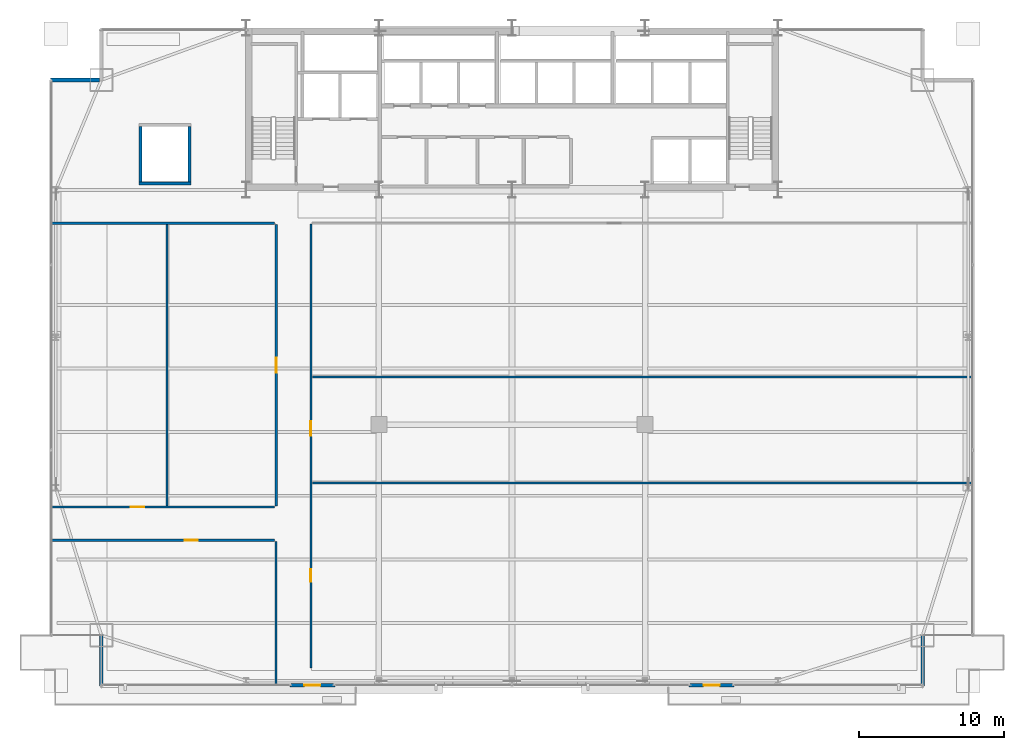
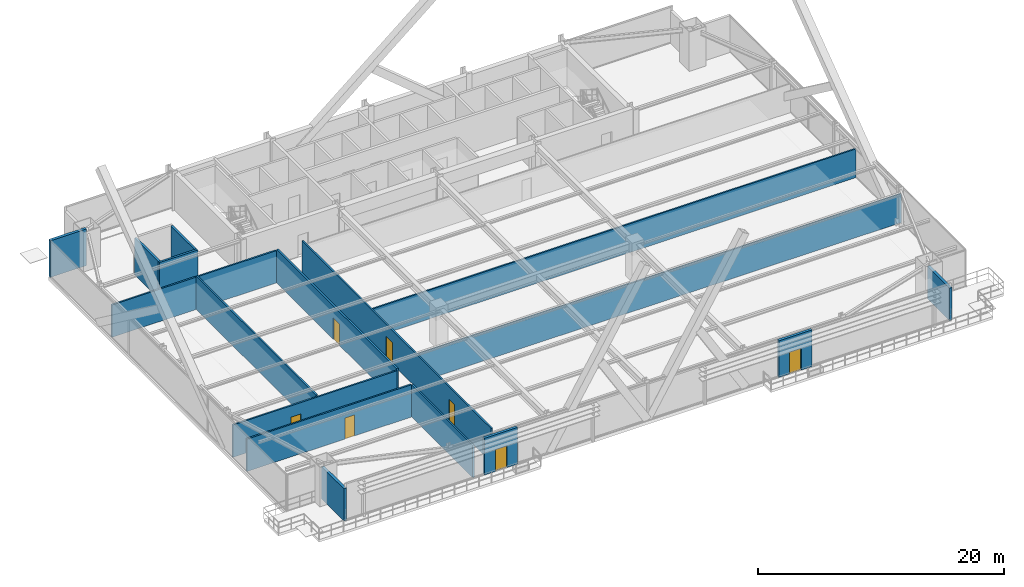
# One storey, part 29 of 34: 17 walls, 7 doors, 7 openings.
"""IFC4 building model written with IfcOpenShell, lengths in metres."""

from ifc_helpers import new_model, si_unit, direction, frame, frame_2d, origin, place, context, subcontext, project, spatial, rectangle, extrude, source, transform, mapped, material, layer, layer_set, type_object, type_shapes, element, fill, save


model = new_model("IFC4")

# Units and contexts
model_context = context("Model", 3, precision=1e-05, world=origin(), true_north=direction((0.0, 1.0)))
body_context = subcontext(model_context, "Body", "Model", "MODEL_VIEW")
ifc_project = project(units=[si_unit("LENGTHUNIT", "METRE"), si_unit("AREAUNIT", "SQUARE_METRE"), si_unit("VOLUMEUNIT", "CUBIC_METRE"), si_unit("PLANEANGLEUNIT", "RADIAN"), si_unit("MASSUNIT", "GRAM", prefix="KILO")], contexts=[model_context])

# Site, building, storey
site_placement = place(None, origin())
site = spatial("IfcSite", under=ifc_project, at=site_placement, CompositionType="ELEMENT")
building_placement = place(site_placement, origin())
building = spatial("IfcBuilding", under=site, at=building_placement, Name="Varnel Quay Broadcast Tower", CompositionType="ELEMENT")
storey_placement = place(building_placement, frame((0.0, 0.0, 27.60009765625)))
storey = spatial("IfcBuildingStorey", under=building, at=storey_placement, Name="L05", CompositionType="ELEMENT", Elevation=27.60009765625)

# Walls
ifc_material_1 = material(Name="Concrete CSA A23.3 C50/60", Category="concrete")
ifc_layer_1 = layer(ifc_material_1, 0.199951171875, Name="Concrete CSA A23.3 C50/60")
ifc_layer_set_1 = layer_set([ifc_layer_1], Name="Concrete CSA A23.3 C50/60")
wall_type_1 = type_object("IfcWallType", Name="Wall_CoreShaftShear200", PredefinedType="SHEAR", material=ifc_layer_set_1)
for number, where, z_axis, x_axis, name in (
    (1, (8.300048828125, 36.14990234375, 0.0), (0.0, 0.0, 1.0), (0.0, 1.0, 0.0), "L05 Freight Lift Shaft W Wall"),
    (2, (11.699951171875, 36.14990234375, 0.0), (0.0, 0.0, 1.0), (0.0, 1.0, 0.0), "L05 Freight Lift Shaft E Wall"),
):
    element("IfcWall", number, at=place(storey_placement, frame(where, z_axis=z_axis, x_axis=x_axis)), inside=storey, type_object=wall_type_1, Name=name, PredefinedType="SHEAR", context=body_context, shape_type="SweptSolid", body=[
        extrude(rectangle(XDim=3.85009765625, YDim=0.199951171875, at=frame_2d((1.925048828125, 0.0))), origin(), (0.0, 0.0, 1.0), 3.64990234375),
    ])
wall_1_placement = place(storey_placement, frame((8.199951171875, 36.050048828125, 0.0), z_axis=(0.0, 0.0, 1.0), x_axis=(1.0, 0.0, 0.0)))
element("IfcWall", 3, at=wall_1_placement, inside=storey, type_object=wall_type_1, Name="L05 Studio Freight Lift Front Wall", PredefinedType="SHEAR", context=body_context, shape_type="SweptSolid", body=[
    extrude(rectangle(XDim=3.60009765625, YDim=0.199951171875, at=frame_2d((1.800048828125, 0.0))), origin(), (0.0, 0.0, 1.0), 3.64990234375),
])

# Wall, opening, door
ifc_material_2 = material(Name="Precast Architectural Concrete C40/50", Category="concrete")
ifc_layer_2 = layer(ifc_material_2, 0.25, Name="Precast Architectural Concrete C40/50")
ifc_layer_set_2 = layer_set([ifc_layer_2], Name="Precast Architectural Concrete C40/50")
wall_type_2 = type_object("IfcWallType", Name="Wall_ExtTerrace250", PredefinedType="SOLIDWALL", material=ifc_layer_set_2)
wall_2_placement = place(storey_placement, frame((18.64990234375, 1.35009765625, 0.0), z_axis=(0.0, 0.0, 1.0), x_axis=(1.0, 0.0, 0.0)))
wall_2 = element("IfcWall", 4, at=wall_2_placement, inside=storey, type_object=wall_type_2, Name="L05 Terrace Access Wall 1", PredefinedType="SOLIDWALL", context=body_context, shape_type="SweptSolid", body=[
    extrude(rectangle(XDim=3.10009765625, YDim=0.25, at=frame_2d((1.550048828125, 0.0))), origin(), (0.0, 0.0, 1.0), 3.6298828125),
])
opening_1_placement = place(wall_2_placement, frame((1.0, 0.0, 0.0)))
opening_1 = element("IfcOpeningElement", 5, at=opening_1_placement, cuts=wall_2, Name="Opening TD-051", PredefinedType="OPENING", context=body_context, shape_type="SweptSolid", body=[
    extrude(rectangle(XDim=1.10009765625, YDim=2.14990234375, at=frame_2d((0.550048828125, 1.074951171875))), frame((0.0, 0.135009765625, 0.0), z_axis=(0.0, -1.0, 0.0), x_axis=(1.0, 0.0, 0.0)), (0.0, 0.0, 1.0), 0.27001953125),
])
ifc_material_3 = material(Name="Anodised Bronze Aluminium 6063-T6", Category="aluminium")
door_type_1 = type_object("IfcDoorType", Name="Door_ExtTerrace1100", OperationType="NOTDEFINED", PredefinedType="DOOR", material=ifc_material_3)
shared_shape_1 = source(origin(), body_context, "Body", "SweptSolid", [
    extrude(rectangle(XDim=1.10009765625, YDim=2.14990234375, at=frame_2d((0.550048828125, 1.074951171875))), frame((0.0, 0.02490234375, 0.0), z_axis=(0.0, -1.0, 0.0), x_axis=(1.0, 0.0, 0.0)), (0.0, 0.0, 1.0), 0.050048828125),
])
type_shapes(door_type_1, [shared_shape_1])
door_1_placement = place(opening_1_placement, frame((1.10009765625, 0.0, 0.0), z_axis=(0.0, 0.0, 1.0), x_axis=(-1.0, 0.0, 0.0)))
door_1 = element("IfcDoor", 6, at=door_1_placement, inside=storey, type_object=door_type_1, Name="L05 Terrace Door TD-051", OperationType="SINGLE_SWING_LEFT", OverallHeight=2.14990234375, OverallWidth=1.10009765625, PredefinedType="DOOR", context=body_context, shape_type="MappedRepresentation", body=[
    mapped(shared_shape_1, transform((0.0, 0.0, 0.0), x_axis=(1.0, 0.0, 0.0), y_axis=(0.0, 1.0, 0.0), z_axis=(0.0, 0.0, 1.0), scale=1.0)),
])
fill(opening_1, door_1)

wall_3_placement = place(storey_placement, frame((46.25, 1.35009765625, 0.0), z_axis=(0.0, 0.0, 1.0), x_axis=(1.0, 0.0, 0.0)))
wall_3 = element("IfcWall", 7, at=wall_3_placement, inside=storey, type_object=wall_type_2, Name="L05 Terrace Access Wall 2", PredefinedType="SOLIDWALL", context=body_context, shape_type="SweptSolid", body=[
    extrude(rectangle(XDim=3.10009765625, YDim=0.25, at=frame_2d((1.550048828125, 0.0))), origin(), (0.0, 0.0, 1.0), 3.6298828125),
])
opening_2_placement = place(wall_3_placement, frame((1.0, 0.0, 0.0)))
opening_2 = element("IfcOpeningElement", 8, at=opening_2_placement, cuts=wall_3, Name="Opening TD-052", PredefinedType="OPENING", context=body_context, shape_type="SweptSolid", body=[
    extrude(rectangle(XDim=1.10009765625, YDim=2.14990234375, at=frame_2d((0.550048828125, 1.074951171875))), frame((0.0, 0.135009765625, 0.0), z_axis=(0.0, -1.0, 0.0), x_axis=(1.0, 0.0, 0.0)), (0.0, 0.0, 1.0), 0.27001953125),
])
door_2_placement = place(opening_2_placement, frame((1.10009765625, 0.0, 0.0), z_axis=(0.0, 0.0, 1.0), x_axis=(-1.0, 0.0, 0.0)))
door_2 = element("IfcDoor", 9, at=door_2_placement, inside=storey, type_object=door_type_1, Name="L05 Terrace Door TD-052", OperationType="SINGLE_SWING_RIGHT", OverallHeight=2.14990234375, OverallWidth=1.10009765625, PredefinedType="DOOR", context=body_context, shape_type="MappedRepresentation", body=[
    mapped(shared_shape_1, transform((0.0, 0.0, 0.0), x_axis=(1.0, 0.0, 0.0), y_axis=(0.0, 1.0, 0.0), z_axis=(0.0, 0.0, 1.0), scale=1.0)),
])
fill(opening_2, door_2)

# Walls
for number, where, z_axis, x_axis, name in (
    (10, (5.60009765625, 1.280029296875, 0.0), (0.0, 0.0, 1.0), (0.0, 1.0, 0.0), "L05 Mega-Column Notch Cladding Wall NSW2"),
    (11, (62.39990234375, 1.280029296875, 0.0), (0.0, 0.0, 1.0), (0.0, 1.0, 0.0), "L05 Mega-Column Notch Cladding Wall NSE2"),
):
    element("IfcWall", number, at=place(storey_placement, frame(where, z_axis=z_axis, x_axis=x_axis)), inside=storey, type_object=wall_type_2, Name=name, PredefinedType="SOLIDWALL", context=body_context, shape_type="SweptSolid", body=[
        extrude(rectangle(XDim=3.599853515625, YDim=0.25, at=frame_2d((1.7998046875, 0.0))), origin(), (0.0, 0.0, 1.0), 3.2080078125),
    ])
wall_4_placement = place(storey_placement, frame((2.080078125, 43.199951171875, 0.0), z_axis=(0.0, 0.0, 1.0), x_axis=(1.0, 0.0, 0.0)))
element("IfcWall", 12, at=wall_4_placement, inside=storey, type_object=wall_type_2, Name="L05 Mega-Column Notch Cladding Wall NNW1", PredefinedType="SOLIDWALL", context=body_context, shape_type="SweptSolid", body=[
    extrude(rectangle(XDim=3.389892578125, YDim=0.25, at=frame_2d((1.69482421875, 0.0))), origin(), (0.0, 0.0, 1.0), 3.6298828125),
])
ifc_material_4 = material(Name="Steel-Stud Fire-Rated Acoustic Gypsum Partition Assembly", Category="steel")
ifc_layer_3 = layer(ifc_material_4, 0.139892578125, Name="Steel-Stud Fire-Rated Acoustic Gypsum Partition Assembly")
ifc_layer_set_3 = layer_set([ifc_layer_3], Name="Steel-Stud Fire-Rated Acoustic Gypsum Partition Assembly")
wall_type_3 = type_object("IfcWallType", Name="Wall_Partition140", PredefinedType="PARTITIONING", material=ifc_layer_set_3)
wall_5_placement = place(storey_placement, frame((20.18994140625, 22.669921875, 0.0), z_axis=(0.0, 0.0, 1.0), x_axis=(1.0, 0.0, 0.0)))
element("IfcWall", 13, at=wall_5_placement, inside=storey, type_object=wall_type_3, Name="L05 Press Green Lounge 5 Partition 15", PredefinedType="PARTITIONING", context=body_context, shape_type="SweptSolid", body=[
    extrude(rectangle(XDim=45.630126953125, YDim=0.139892578125, at=frame_2d((22.81494140625, 0.0))), origin(), (0.0, 0.0, 1.0), 2.851806640625),
])
ifc_layer_4 = layer(ifc_material_4, 0.14990234375, Name="Steel-Stud Fire-Rated Acoustic Gypsum Partition Assembly")
ifc_layer_set_4 = layer_set([ifc_layer_4], Name="Steel-Stud Fire-Rated Acoustic Gypsum Partition Assembly")
wall_type_4 = type_object("IfcWallType", Name="Wall_Partition150", PredefinedType="PARTITIONING", material=ifc_layer_set_4)
wall_6_placement = place(storey_placement, frame((17.68994140625, 1.3798828125, 0.0), z_axis=(0.0, 0.0, 1.0), x_axis=(0.0, 1.0, 0.0)))
element("IfcWall", 14, at=wall_6_placement, inside=storey, type_object=wall_type_4, Name="L05 Broadcast Newsroom 1 Partition 7", PredefinedType="PARTITIONING", context=body_context, shape_type="SweptSolid", body=[
    extrude(rectangle(XDim=9.9150390625, YDim=0.14990234375, at=frame_2d((4.95751953125, 0.0))), origin(), (0.0, 0.0, 1.0), 3.2080078125),
])

# Wall, opening, door
wall_7_placement = place(storey_placement, frame((2.179931640625, 11.3701171875, 0.0), z_axis=(0.0, 0.0, 1.0), x_axis=(1.0, 0.0, 0.0)))
wall_7 = element("IfcWall", 15, at=wall_7_placement, inside=storey, type_object=wall_type_4, Name="L05 Broadcast Newsroom 1 Partition 8", PredefinedType="PARTITIONING", context=body_context, shape_type="SweptSolid", body=[
    extrude(rectangle(XDim=15.41015625, YDim=0.14990234375, at=frame_2d((7.705078125, 0.0))), origin(), (0.0, 0.0, 1.0), 3.2080078125),
])
opening_3_placement = place(wall_7_placement, frame((9.179931640625, 0.0, 0.0)))
opening_3 = element("IfcOpeningElement", 16, at=opening_3_placement, cuts=wall_7, Name="Opening D-L05-05", PredefinedType="OPENING", context=body_context, shape_type="SweptSolid", body=[
    extrude(rectangle(XDim=0.919921875, YDim=2.080078125, at=frame_2d((0.4599609375, 1.0400390625))), frame((0.0, 0.0849609375, 0.0), z_axis=(0.0, -1.0, 0.0), x_axis=(1.0, 0.0, 0.0)), (0.0, 0.0, 1.0), 0.169921875),
])
ifc_material_5 = material(Name="Solid-Core Fire-Rated Acoustic Oak Veneer Door", Category="wood")
door_type_2 = type_object("IfcDoorType", Name="Door_Office920", OperationType="NOTDEFINED", PredefinedType="DOOR", material=ifc_material_5)
shared_shape_2 = source(origin(), body_context, "Body", "SweptSolid", [
    extrude(rectangle(XDim=0.919921875, YDim=2.080078125, at=frame_2d((0.4599609375, 1.0400390625))), frame((0.0, 0.02490234375, 0.0), z_axis=(0.0, -1.0, 0.0), x_axis=(1.0, 0.0, 0.0)), (0.0, 0.0, 1.0), 0.050048828125),
])
type_shapes(door_type_2, [shared_shape_2])
door_3_placement = place(opening_3_placement, frame((0.919921875, 0.0, 0.0), z_axis=(0.0, 0.0, 1.0), x_axis=(-1.0, 0.0, 0.0)))
door_3 = element("IfcDoor", 17, at=door_3_placement, inside=storey, type_object=door_type_2, Name="L05 Broadcast Newsroom 1 Door D-L05-05", OperationType="SINGLE_SWING_RIGHT", OverallHeight=2.080078125, OverallWidth=0.919921875, PredefinedType="DOOR", context=body_context, shape_type="MappedRepresentation", body=[
    mapped(shared_shape_2, transform((0.0, 0.0, 0.0), x_axis=(1.0, 0.0, 0.0), y_axis=(0.0, 1.0, 0.0), z_axis=(0.0, 0.0, 1.0), scale=1.0)),
])
fill(opening_3, door_3)

wall_8_placement = place(storey_placement, frame((2.179931640625, 13.669921875, 0.0), z_axis=(0.0, 0.0, 1.0), x_axis=(1.0, 0.0, 0.0)))
wall_8 = element("IfcWall", 18, at=wall_8_placement, inside=storey, type_object=wall_type_4, Name="L05 Assignment Desk 2 Partition 9", PredefinedType="PARTITIONING", context=body_context, shape_type="SweptSolid", body=[
    extrude(rectangle(XDim=15.41015625, YDim=0.14990234375, at=frame_2d((7.705078125, 0.0))), origin(), (0.0, 0.0, 1.0), 3.2080078125),
])
opening_4_placement = place(wall_8_placement, frame((5.4599609375, 0.0, 0.0)))
opening_4 = element("IfcOpeningElement", 19, at=opening_4_placement, cuts=wall_8, Name="Opening D-L05-06", PredefinedType="OPENING", context=body_context, shape_type="SweptSolid", body=[
    extrude(rectangle(XDim=0.919921875, YDim=2.080078125, at=frame_2d((0.4599609375, 1.0400390625))), frame((0.0, 0.0849609375, 0.0), z_axis=(0.0, -1.0, 0.0), x_axis=(1.0, 0.0, 0.0)), (0.0, 0.0, 1.0), 0.169921875),
])
door_4_placement = place(opening_4_placement, origin())
door_4 = element("IfcDoor", 20, at=door_4_placement, inside=storey, type_object=door_type_2, Name="L05 Assignment Desk 2 Door D-L05-06", OperationType="SINGLE_SWING_LEFT", OverallHeight=2.080078125, OverallWidth=0.919921875, PredefinedType="DOOR", context=body_context, shape_type="MappedRepresentation", body=[
    mapped(shared_shape_2, transform((0.0, 0.0, 0.0), x_axis=(1.0, 0.0, 0.0), y_axis=(0.0, 1.0, 0.0), z_axis=(0.0, 0.0, 1.0), scale=1.0)),
])
fill(opening_4, door_4)

# Walls
wall_9_placement = place(storey_placement, frame((10.14990234375, 13.7451171875, 0.0), z_axis=(0.0, 0.0, 1.0), x_axis=(0.0, 1.0, 0.0)))
element("IfcWall", 21, at=wall_9_placement, inside=storey, type_object=wall_type_4, Name="L05 Assignment Desk 2 Partition 10", PredefinedType="PARTITIONING", context=body_context, shape_type="SweptSolid", body=[
    extrude(rectangle(XDim=19.47998046875, YDim=0.14990234375, at=frame_2d((9.739990234375, 0.0))), origin(), (0.0, 0.0, 1.0), 3.322021484375),
])
wall_10_placement = place(storey_placement, frame((2.179931640625, 33.300048828125, 0.0), z_axis=(0.0, 0.0, 1.0), x_axis=(1.0, 0.0, 0.0)))
element("IfcWall", 22, at=wall_10_placement, inside=storey, type_object=wall_type_4, Name="L05 Assignment Desk 2 Partition 11", PredefinedType="PARTITIONING", context=body_context, shape_type="SweptSolid", body=[
    extrude(rectangle(XDim=15.41015625, YDim=0.14990234375, at=frame_2d((7.705078125, 0.0))), origin(), (0.0, 0.0, 1.0), 3.2080078125),
])
wall_11_placement = place(storey_placement, frame((20.18994140625, 15.320068359375, 0.0), z_axis=(0.0, 0.0, 1.0), x_axis=(1.0, 0.0, 0.0)))
element("IfcWall", 23, at=wall_11_placement, inside=storey, type_object=wall_type_4, Name="L05 Break Kitchen 4 Partition 13", PredefinedType="PARTITIONING", context=body_context, shape_type="SweptSolid", body=[
    extrude(rectangle(XDim=45.630126953125, YDim=0.14990234375, at=frame_2d((22.81494140625, 0.0))), origin(), (0.0, 0.0, 1.0), 2.851806640625),
])

# Wall, openings, doors
wall_12_placement = place(storey_placement, frame((20.090087890625, 2.550048828125, 0.0), z_axis=(0.0, 0.0, 1.0), x_axis=(0.0, 1.0, 0.0)))
wall_12 = element("IfcWall", 24, at=wall_12_placement, inside=storey, type_object=wall_type_4, Name="L05 Break Kitchen 4 Partition 14", PredefinedType="PARTITIONING", context=body_context, shape_type="SweptSolid", body=[
    extrude(rectangle(XDim=30.697021484375, YDim=0.14990234375, at=frame_2d((15.3486328125, 0.0))), origin(), (0.0, 0.0, 1.0), 3.322021484375),
])
opening_5_placement = place(wall_12_placement, frame((5.945068359375, 0.0, 0.0)))
opening_5 = element("IfcOpeningElement", 25, at=opening_5_placement, cuts=wall_12, Name="Opening D-L05-08", PredefinedType="OPENING", context=body_context, shape_type="SweptSolid", body=[
    extrude(rectangle(XDim=0.8798828125, YDim=2.06005859375, at=frame_2d((0.43994140625, 1.030029296875))), frame((0.0, 0.0849609375, 0.0), z_axis=(0.0, -1.0, 0.0), x_axis=(1.0, 0.0, 0.0)), (0.0, 0.0, 1.0), 0.169921875),
])
opening_6_placement = place(wall_12_placement, frame((16.044921875, 0.0, 0.0)))
opening_6 = element("IfcOpeningElement", 26, at=opening_6_placement, cuts=wall_12, Name="Opening D-L05-09", PredefinedType="OPENING", context=body_context, shape_type="SweptSolid", body=[
    extrude(rectangle(XDim=1.0, YDim=2.10009765625, at=frame_2d((0.5, 1.050048828125))), frame((0.0, 0.0849609375, 0.0), z_axis=(0.0, -1.0, 0.0), x_axis=(1.0, 0.0, 0.0)), (0.0, 0.0, 1.0), 0.169921875),
])
door_type_3 = type_object("IfcDoorType", Name="Door_Booth880", OperationType="NOTDEFINED", PredefinedType="DOOR", material=ifc_material_5)
shared_shape_3 = source(origin(), body_context, "Body", "SweptSolid", [
    extrude(rectangle(XDim=0.8798828125, YDim=2.06005859375, at=frame_2d((0.43994140625, 1.030029296875))), frame((0.0, 0.02490234375, 0.0), z_axis=(0.0, -1.0, 0.0), x_axis=(1.0, 0.0, 0.0)), (0.0, 0.0, 1.0), 0.050048828125),
])
type_shapes(door_type_3, [shared_shape_3])
door_5_placement = place(opening_5_placement, frame((0.8798828125, 0.0, 0.0), z_axis=(0.0, 0.0, 1.0), x_axis=(-1.0, 0.0, 0.0)))
door_5 = element("IfcDoor", 27, at=door_5_placement, inside=storey, type_object=door_type_3, Name="L05 Break Kitchen 4 Door D-L05-08", OperationType="SINGLE_SWING_LEFT", OverallHeight=2.06005859375, OverallWidth=0.8798828125, PredefinedType="DOOR", context=body_context, shape_type="MappedRepresentation", body=[
    mapped(shared_shape_3, transform((0.0, 0.0, 0.0), x_axis=(1.0, 0.0, 0.0), y_axis=(0.0, 1.0, 0.0), z_axis=(0.0, 0.0, 1.0), scale=1.0)),
])
fill(opening_5, door_5)
door_type_4 = type_object("IfcDoorType", Name="Door_Exec1000", OperationType="NOTDEFINED", PredefinedType="DOOR", material=ifc_material_5)
shared_shape_4 = source(origin(), body_context, "Body", "SweptSolid", [
    extrude(rectangle(XDim=1.0, YDim=2.10009765625, at=frame_2d((0.5, 1.050048828125))), frame((0.0, 0.02490234375, 0.0), z_axis=(0.0, -1.0, 0.0), x_axis=(1.0, 0.0, 0.0)), (0.0, 0.0, 1.0), 0.050048828125),
])
type_shapes(door_type_4, [shared_shape_4])
door_6_placement = place(opening_6_placement, frame((1.0, 0.0, 0.0), z_axis=(0.0, 0.0, 1.0), x_axis=(-1.0, 0.0, 0.0)))
door_6 = element("IfcDoor", 28, at=door_6_placement, inside=storey, type_object=door_type_4, Name="L05 Press Green Lounge 5 Door D-L05-09", OperationType="SINGLE_SWING_RIGHT", OverallHeight=2.10009765625, OverallWidth=1.0, PredefinedType="DOOR", context=body_context, shape_type="MappedRepresentation", body=[
    mapped(shared_shape_4, transform((0.0, 0.0, 0.0), x_axis=(1.0, 0.0, 0.0), y_axis=(0.0, 1.0, 0.0), z_axis=(0.0, 0.0, 1.0), scale=1.0)),
])
fill(opening_6, door_6)

# Wall, opening, door
ifc_layer_5 = layer(ifc_material_4, 0.175048828125, Name="Steel-Stud Fire-Rated Acoustic Gypsum Partition Assembly")
ifc_layer_set_5 = layer_set([ifc_layer_5], Name="Steel-Stud Fire-Rated Acoustic Gypsum Partition Assembly")
wall_type_5 = type_object("IfcWallType", Name="Wall_Partition175", PredefinedType="PARTITIONING", material=ifc_layer_set_5)
wall_13_placement = place(storey_placement, frame((17.68994140625, 13.7451171875, 0.0), z_axis=(0.0, 0.0, 1.0), x_axis=(0.0, 1.0, 0.0)))
wall_13 = element("IfcWall", 29, at=wall_13_placement, inside=storey, type_object=wall_type_5, Name="L05 Editorial Boardroom 3 Partition 12", PredefinedType="PARTITIONING", context=body_context, shape_type="SweptSolid", body=[
    extrude(rectangle(XDim=19.47998046875, YDim=0.175048828125, at=frame_2d((9.739990234375, 0.0))), origin(), (0.0, 0.0, 1.0), 3.322021484375),
])
opening_7_placement = place(wall_13_placement, frame((9.215087890625, 0.0, 0.0)))
opening_7 = element("IfcOpeningElement", 30, at=opening_7_placement, cuts=wall_13, Name="Opening D-L05-07", PredefinedType="OPENING", context=body_context, shape_type="SweptSolid", body=[
    extrude(rectangle(XDim=1.050048828125, YDim=2.10009765625, at=frame_2d((0.52490234375, 1.050048828125))), frame((0.0, 0.09765625, 0.0), z_axis=(0.0, -1.0, 0.0), x_axis=(1.0, 0.0, 0.0)), (0.0, 0.0, 1.0), 0.195068359375),
])
door_type_5 = type_object("IfcDoorType", Name="Door_Meeting1050", OperationType="NOTDEFINED", PredefinedType="DOOR", material=ifc_material_5)
shared_shape_5 = source(origin(), body_context, "Body", "SweptSolid", [
    extrude(rectangle(XDim=1.050048828125, YDim=2.10009765625, at=frame_2d((0.52490234375, 1.050048828125))), frame((0.0, 0.02490234375, 0.0), z_axis=(0.0, -1.0, 0.0), x_axis=(1.0, 0.0, 0.0)), (0.0, 0.0, 1.0), 0.050048828125),
])
type_shapes(door_type_5, [shared_shape_5])
door_7_placement = place(opening_7_placement, origin())
door_7 = element("IfcDoor", 31, at=door_7_placement, inside=storey, type_object=door_type_5, Name="L05 Editorial Boardroom 3 Door D-L05-07", OperationType="SINGLE_SWING_RIGHT", OverallHeight=2.10009765625, OverallWidth=1.050048828125, PredefinedType="DOOR", context=body_context, shape_type="MappedRepresentation", body=[
    mapped(shared_shape_5, transform((0.0, 0.0, 0.0), x_axis=(1.0, 0.0, 0.0), y_axis=(0.0, 1.0, 0.0), z_axis=(0.0, 0.0, 1.0), scale=1.0)),
])
fill(opening_7, door_7)

save(model, "model.ifc")
